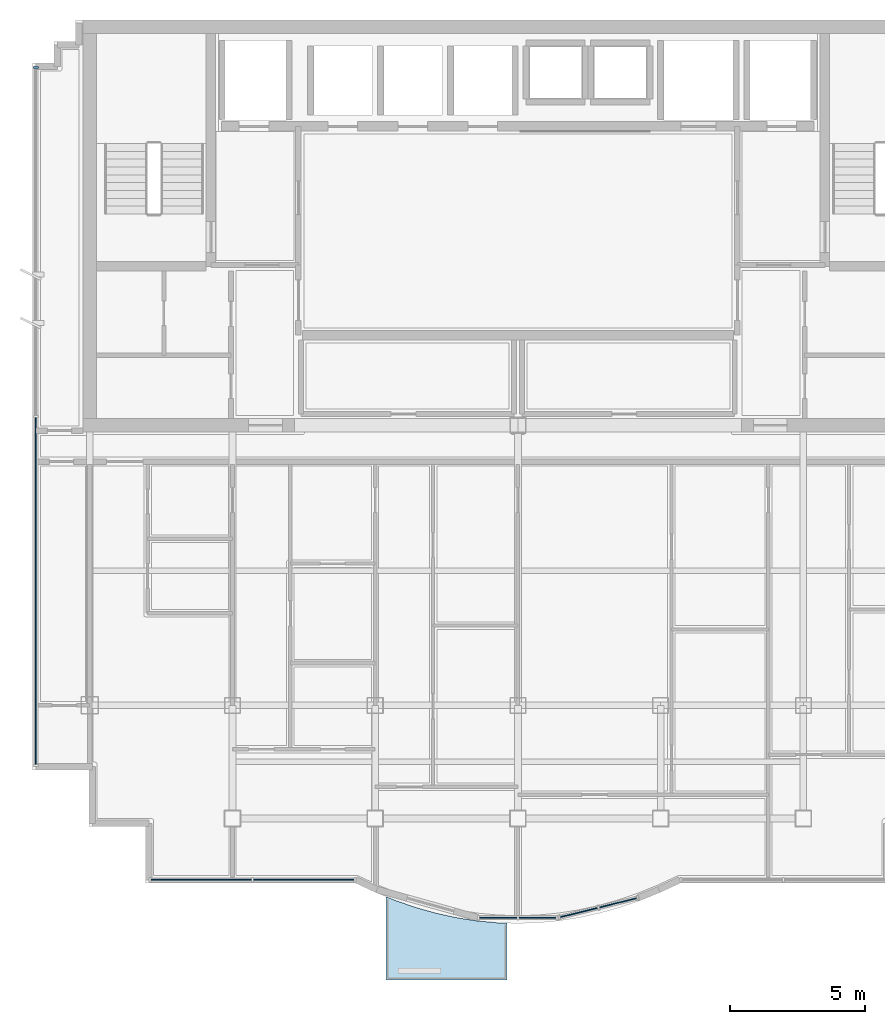
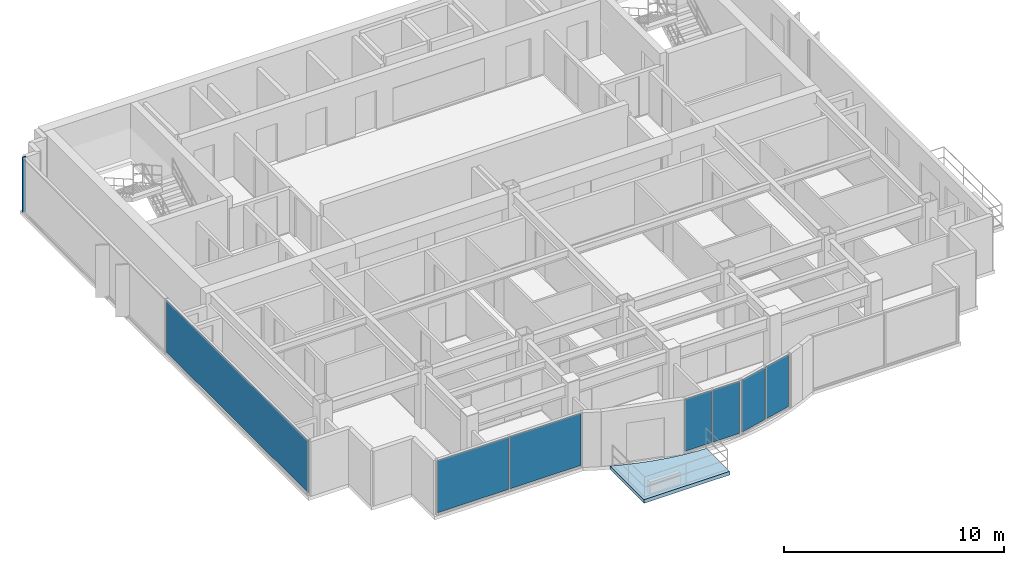
# One storey, part 4 of 11: 7 plates, 1 member, 1 slab, 4 elements without a shape of their own.
"""IFC4 building model written with IfcOpenShell, lengths in metres."""

from ifc_helpers import new_model, si_unit, direction, frame, origin, origin_2d, place, context, subcontext, project, spatial, polyline, rectangle, outline, extrude, source, transform, mapped, material, layer, layer_set, material_profile, profile_set, type_object, element, aggregate, save


model = new_model("IFC4")

# Units and contexts
model_context = context("Model", 3, precision=1e-05, world=origin(), true_north=direction((0.0, 1.0)))
body_context = subcontext(model_context, "Body", "Model", "MODEL_VIEW")
ifc_project = project(units=[si_unit("LENGTHUNIT", "METRE"), si_unit("AREAUNIT", "SQUARE_METRE"), si_unit("VOLUMEUNIT", "CUBIC_METRE"), si_unit("PLANEANGLEUNIT", "RADIAN"), si_unit("MASSUNIT", "GRAM", prefix="KILO")], contexts=[model_context])

# Site, building, storey
site_placement = place(None, origin())
site = spatial("IfcSite", under=ifc_project, at=site_placement, CompositionType="ELEMENT")
building_placement = place(site_placement, origin())
building = spatial("IfcBuilding", under=site, at=building_placement, Name="Qianlan Lanfeng Residences", CompositionType="ELEMENT")
storey_placement = place(building_placement, frame((0.0, 0.0, 262.699951171875)))
storey = spatial("IfcBuildingStorey", under=building, at=storey_placement, Name="L73", CompositionType="ELEMENT", Elevation=262.699951171875)

# Curtain wall, member
ifc_material_1 = material(Name="Anodised Bronze Aluminium 6063-T6", Category="aluminium")
ifc_layer_1 = layer(ifc_material_1, 0.219970703125)
ifc_layer_set_1 = layer_set([ifc_layer_1], Name="Anodised Bronze Aluminium 6063-T6")
curtain_wall_type = type_object("IfcCurtainWallType", Name="CW-06", PredefinedType="NOTDEFINED", material=ifc_layer_set_1)
curtain_wall_1_placement = place(storey_placement, origin())
curtain_wall_1 = element("IfcCurtainWall", 1, at=curtain_wall_1_placement, inside=storey, type_object=curtain_wall_type, Name="L73 Unitised Curtain Wall CWR-L73-05 (CW-06)", PredefinedType="NOTDEFINED")
ifc_material_profile = material_profile(ifc_material_1, rectangle(XDim=0.074951171875, YDim=0.179931640625, at=origin_2d()), Name="ALU MULLION 75x180")
ifc_profile_set = profile_set([ifc_material_profile], Name="Anodised Bronze Aluminium 6063-T6")
member_type = type_object("IfcMemberType", Name="CWM-180", PredefinedType="MULLION", material=ifc_profile_set)
shared_shape_1 = source(origin(), body_context, "Body", "SweptSolid", [
    extrude(rectangle(XDim=0.074951171875, YDim=0.179931640625, at=origin_2d()), origin(), (0.0, 0.0, 1.0), 3.0400390625),
])
member_placement = place(storey_placement, frame((8.60009765625, 38.492431640625, 0.0), z_axis=(0.0, 0.0, 1.0), x_axis=(0.0, -1.0, 0.0)))
member = element("IfcMember", 2, at=member_placement, type_object=member_type, Name="CWR-L73-05 Mullion 1", PredefinedType="MULLION", context=body_context, shape_type="MappedRepresentation", body=[
    mapped(shared_shape_1, transform((0.0, 0.0, 0.0), scale=1.0)),
])

# Slab
ifc_material_2 = material(Name="Concrete C42", Category="concrete")
ifc_layer_2 = layer(ifc_material_2, 0.199951171875)
ifc_layer_set_2 = layer_set([ifc_layer_2], Name="Concrete C42")
slab_type = type_object("IfcSlabType", Name="S-BAL-200", PredefinedType="FLOOR", material=ifc_layer_set_2)
slab_placement = place(storey_placement, frame((0.0, 0.0, -0.199951171875)))
element("IfcSlab", 3, at=slab_placement, inside=storey, type_object=slab_type, Name="L73 Planted Tree Balcony Slab SB-C", PredefinedType="FLOOR", context=body_context, shape_type="SweptSolid", body=[
    extrude(outline(polyline([(26.10009765625, 6.7119140625), (25.7451171875, 6.722900390625), (24.989990234375, 6.7939453125), (24.235107421875, 6.910888671875), (23.47998046875, 7.074951171875), (22.72509765625, 7.285888671875), (21.969970703125, 7.5439453125), (21.60009765625, 7.693115234375), (21.60009765625, 4.60009765625), (26.10009765625, 4.60009765625), (26.10009765625, 6.7119140625)])), origin(), (0.0, 0.0, 1.0), 0.199951171875),
])

# Curtain wall, plates
curtain_wall_2_placement = place(storey_placement, origin())
curtain_wall_2 = element("IfcCurtainWall", 4, at=curtain_wall_2_placement, inside=storey, type_object=curtain_wall_type, Name="L73 Unitised Curtain Wall CWR-L73-01 (CW-06)", PredefinedType="NOTDEFINED")
ifc_material_3 = material(Name="Dark Bronze Tinted Insulated Glass", Category="glass")
ifc_layer_3 = layer(ifc_material_3, 0.0380859375)
ifc_layer_set_3 = layer_set([ifc_layer_3], Name="Dark Bronze Tinted Insulated Glass")
plate_type_1 = type_object("IfcPlateType", Name="PNL-GLZ-BRZ", PredefinedType="CURTAIN_PANEL", material=ifc_layer_set_3)
shared_shape_2 = source(origin(), body_context, "Body", "SweptSolid", [
    extrude(rectangle(XDim=3.73291015625, YDim=0.0380859375, at=origin_2d()), origin(), (0.0, 0.0, 1.0), 2.89208984375),
])
plate_1_placement = place(storey_placement, frame((14.740478515625, 8.320068359375, 0.073974609375), z_axis=(0.0, 0.0, 1.0), x_axis=(1.0, 0.0, 0.0)))
plate_1 = element("IfcPlate", 5, at=plate_1_placement, type_object=plate_type_1, Name="CWR-L73-01 Curtain Panel 1", PredefinedType="CURTAIN_PANEL", context=body_context, shape_type="MappedRepresentation", body=[
    mapped(shared_shape_2, transform((0.0, 0.0, 0.0), scale=1.0)),
])
plate_2_placement = place(storey_placement, frame((18.54638671875, 8.320068359375, 0.073974609375), z_axis=(0.0, 0.0, 1.0), x_axis=(1.0, 0.0, 0.0)))
plate_2 = element("IfcPlate", 6, at=plate_2_placement, type_object=plate_type_1, Name="CWR-L73-01 Curtain Panel 2", PredefinedType="CURTAIN_PANEL", context=body_context, shape_type="MappedRepresentation", body=[
    mapped(shared_shape_2, transform((0.0, 0.0, 0.0), scale=1.0)),
])
aggregate(curtain_wall_2, [plate_1, plate_2])

curtain_wall_3_placement = place(storey_placement, origin())
curtain_wall_3 = element("IfcCurtainWall", 7, at=curtain_wall_3_placement, inside=storey, type_object=curtain_wall_type, Name="L73 Unitised Curtain Wall CWR-L73-02 (CW-06)", PredefinedType="NOTDEFINED")
shared_shape_3 = source(origin(), body_context, "Body", "SweptSolid", [
    extrude(rectangle(XDim=1.384521484375, YDim=0.0380859375, at=origin_2d()), origin(), (0.0, 0.0, 1.0), 2.89208984375),
])
plate_3_placement = place(storey_placement, frame((25.771240234375, 6.9130859375, 0.073974609375), z_axis=(0.0, 0.0, 1.0), x_axis=(1.0, 0.0, 0.0)))
plate_3 = element("IfcPlate", 8, at=plate_3_placement, type_object=plate_type_1, Name="CWR-L73-02 Curtain Panel 1", PredefinedType="CURTAIN_PANEL", context=body_context, shape_type="MappedRepresentation", body=[
    mapped(shared_shape_3, transform((0.0, 0.0, 0.0), scale=1.0)),
])
ifc_material_4 = material(Name="Perforated Anodised Bronze Aluminium Panel", Category="aluminium")
ifc_layer_4 = layer(ifc_material_4, 0.0419921875)
ifc_layer_set_4 = layer_set([ifc_layer_4], Name="Perforated Anodised Bronze Aluminium Panel")
plate_type_2 = type_object("IfcPlateType", Name="PNL-PRF-BRZ", PredefinedType="CURTAIN_PANEL", material=ifc_layer_set_4)
shared_shape_4 = source(origin(), body_context, "Body", "SweptSolid", [
    extrude(rectangle(XDim=1.384521484375, YDim=0.0419921875, at=origin_2d()), origin(), (0.0, 0.0, 1.0), 2.89208984375),
])
plate_4_placement = place(storey_placement, frame((27.228759765625, 6.9130859375, 0.073974609375), z_axis=(0.0, 0.0, 1.0), x_axis=(1.0, 0.0, 0.0)))
plate_4 = element("IfcPlate", 9, at=plate_4_placement, type_object=plate_type_2, Name="CWR-L73-02 Curtain Panel 2", PredefinedType="CURTAIN_PANEL", context=body_context, shape_type="MappedRepresentation", body=[
    mapped(shared_shape_4, transform((0.0, 0.0, 0.0), scale=1.0)),
])
aggregate(curtain_wall_3, [plate_3, plate_4])

curtain_wall_4_placement = place(storey_placement, origin())
curtain_wall_4 = element("IfcCurtainWall", 10, at=curtain_wall_4_placement, inside=storey, type_object=curtain_wall_type, Name="L73 Unitised Curtain Wall CWR-L73-03 (CW-06)", PredefinedType="NOTDEFINED")
shared_shape_5 = source(origin(), body_context, "Body", "SweptSolid", [
    extrude(rectangle(XDim=1.431396484375, YDim=0.0380859375, at=origin_2d()), origin(), (0.0, 0.0, 1.0), 2.89208984375),
])
plate_5_placement = place(storey_placement, frame((28.761474609375, 7.103515625, 0.073974609375), z_axis=(0.0, 0.0, 1.0), x_axis=(0.970466067332, 0.241237667369, 0.0)))
plate_5 = element("IfcPlate", 11, at=plate_5_placement, type_object=plate_type_1, Name="CWR-L73-03 Curtain Panel 1", PredefinedType="CURTAIN_PANEL", context=body_context, shape_type="MappedRepresentation", body=[
    mapped(shared_shape_5, transform((0.0, 0.0, 0.0), scale=1.0)),
])
shared_shape_6 = source(origin(), body_context, "Body", "SweptSolid", [
    extrude(rectangle(XDim=1.431640625, YDim=0.0380859375, at=origin_2d()), origin(), (0.0, 0.0, 1.0), 2.89208984375),
])
plate_6_placement = place(storey_placement, frame((30.221435546875, 7.466552734375, 0.073974609375), z_axis=(0.0, 0.0, 1.0), x_axis=(0.970466067332, 0.241237667369, 0.0)))
plate_6 = element("IfcPlate", 12, at=plate_6_placement, type_object=plate_type_1, Name="CWR-L73-03 Curtain Panel 2", PredefinedType="CURTAIN_PANEL", context=body_context, shape_type="MappedRepresentation", body=[
    mapped(shared_shape_6, transform((0.0, 0.0, 0.0), scale=1.0)),
])
aggregate(curtain_wall_4, [plate_5, plate_6])

# Plate
shared_shape_7 = source(origin(), body_context, "Body", "SweptSolid", [
    extrude(rectangle(XDim=12.89453125, YDim=0.0380859375, at=origin_2d()), origin(), (0.0, 0.0, 1.0), 2.89208984375),
])
plate_7_placement = place(storey_placement, frame((8.60009765625, 19.041259765625, 0.073974609375), z_axis=(0.0, 0.0, 1.0), x_axis=(0.0, -1.0, 0.0)))
plate_7 = element("IfcPlate", 13, at=plate_7_placement, type_object=plate_type_1, Name="CWR-L73-05 Curtain Panel 2", PredefinedType="CURTAIN_PANEL", context=body_context, shape_type="MappedRepresentation", body=[
    mapped(shared_shape_7, transform((0.0, 0.0, 0.0), scale=1.0)),
])

aggregate(curtain_wall_1, [member, plate_7])

save(model, "model.ifc")
